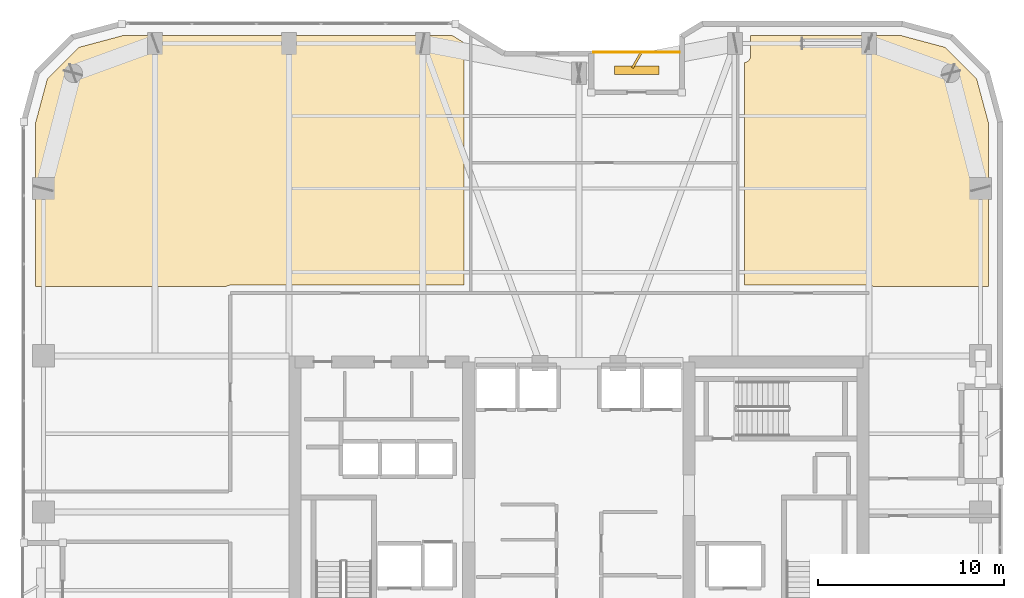
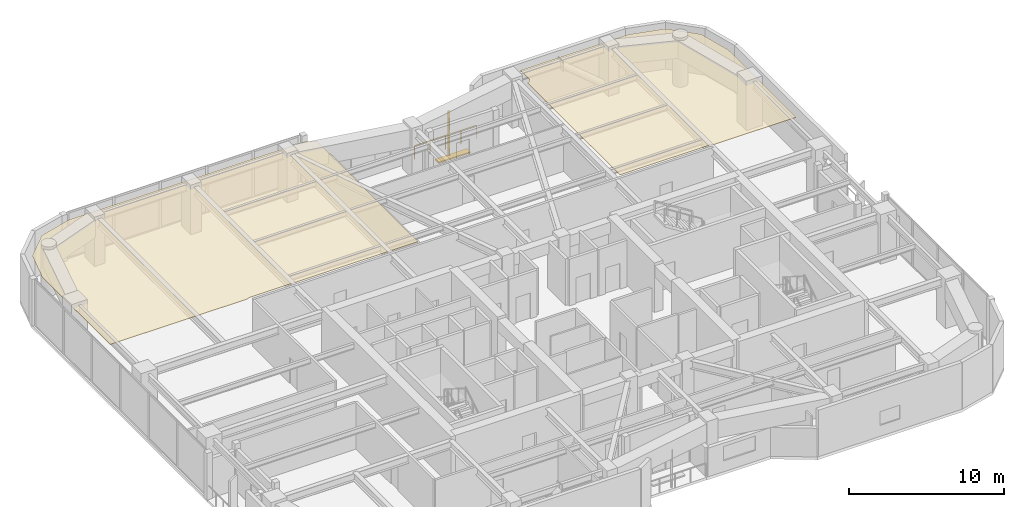
# One storey, part 30 of 30: 2 coverings, 2 shading devices, 1 railing.
"""IFC4 building model written with IfcOpenShell, lengths in metres."""

from ifc_helpers import new_model, si_unit, direction, frame, origin, origin_2d, place, context, subcontext, project, spatial, polyline, rectangle, outline, extrude, material, layer, layer_set, type_object, element, save


model = new_model("IFC4")

# Units and contexts
model_context = context("Model", 3, precision=1e-05, world=origin(), true_north=direction((0.0, 1.0)))
body_context = subcontext(model_context, "Body", "Model", "MODEL_VIEW")
ifc_project = project(units=[si_unit("LENGTHUNIT", "METRE"), si_unit("AREAUNIT", "SQUARE_METRE"), si_unit("VOLUMEUNIT", "CUBIC_METRE"), si_unit("PLANEANGLEUNIT", "RADIAN"), si_unit("MASSUNIT", "GRAM", prefix="KILO")], contexts=[model_context])

# Site, building, storey
site_placement = place(None, origin())
site = spatial("IfcSite", under=ifc_project, at=site_placement, CompositionType="ELEMENT")
building_placement = place(site_placement, origin())
building = spatial("IfcBuilding", under=site, at=building_placement, Name="Kiyonajd Concourse Tower", CompositionType="ELEMENT")
storey_placement = place(building_placement, frame((0.0, 0.0, 194.10009765625)))
storey = spatial("IfcBuildingStorey", under=building, at=storey_placement, Name="L49", CompositionType="ELEMENT", Elevation=194.10009765625)

# Coverings
ifc_material_1 = material(Name="Natural Oak Acoustic Timber Veneer", Category="wood")
ifc_layer = layer(ifc_material_1, 0.0400390625)
ifc_layer_set = layer_set([ifc_layer], Name="Natural Oak Acoustic Timber Veneer")
covering_type = type_object("IfcCoveringType", Name="CV-CLG-ACST", PredefinedType="CEILING", material=ifc_layer_set)
covering_1_placement = place(storey_placement, frame((0.0, 0.0, 3.5)))
element("IfcCovering", 1, at=covering_1_placement, inside=storey, type_object=covering_type, Name="L49-45 Room Acoustic Ceiling", PredefinedType="CEILING", context=body_context, shape_type="SweptSolid", body=[
    extrude(outline(polyline([(21.097900390625, 60.986083984375), (23.5009765625, 61.6298828125), (41.181884765625, 61.6298828125), (41.830078125, 61.23095703125), (41.830078125, 48.199951171875), (29.25, 48.199951171875), (29.1201171875, 48.179931640625), (29.056884765625, 48.154052734375), (29.001953125, 48.1201171875), (18.77001953125, 48.1201171875), (18.77001953125, 56.89892578125), (19.4140625, 59.302001953125), (21.097900390625, 60.986083984375)])), origin(), (0.0, 0.0, 1.0), 0.039794921875),
])
covering_2_placement = place(storey_placement, frame((0.0, 0.0, 3.5)))
element("IfcCovering", 2, at=covering_2_placement, inside=storey, type_object=covering_type, Name="L49-48 Room Acoustic Ceiling", PredefinedType="CEILING", context=body_context, shape_type="SweptSolid", body=[
    extrude(outline(polyline([(57.22998046875, 61.6298828125), (65.299072265625, 61.6298828125), (67.701904296875, 60.986083984375), (69.385986328125, 59.302001953125), (70.030029296875, 56.89892578125), (70.030029296875, 48.1201171875), (63.847900390625, 48.1201171875), (63.79296875, 48.154052734375), (63.72998046875, 48.179931640625), (63.60009765625, 48.199951171875), (56.909912109375, 48.199951171875), (56.909912109375, 60.1708984375), (57.013916015625, 60.197021484375), (57.10205078125, 60.2490234375), (57.15087890625, 60.298095703125), (57.18896484375, 60.35498046875), (57.222900390625, 60.451904296875), (57.22998046875, 60.52001953125), (57.22998046875, 61.6298828125)])), origin(), (0.0, 0.0, 1.0), 0.039794921875),
])

# Railing
ifc_material_2 = material(Name="Thermally Broken Anodised Aluminium", Category="aluminium")
railing_type = type_object("IfcRailingType", Name="RL-GRD-LOG", PredefinedType="GUARDRAIL", material=ifc_material_2)
railing_placement = place(storey_placement, frame((53.39990234375, 60.719970703125, 0.0)))
element("IfcRailing", 3, at=railing_placement, inside=storey, type_object=railing_type, Name="L49 Engawa Loggia Perimeter Guard LOG-N", PredefinedType="GUARDRAIL", context=body_context, shape_type="SweptSolid", body=[
    extrude(rectangle(XDim=0.048095703125, YDim=0.048095703125, at=origin_2d()), frame((0.0, 0.0, 1.076171875), z_axis=(-1.0, 0.0, 0.0), x_axis=(0.0, -1.0, 0.0)), (0.0, 0.0, 1.0), 4.599853515625),
    extrude(rectangle(XDim=0.0419921875, YDim=0.0419921875, at=origin_2d()), origin(), (0.0, 0.0, 1.0), 1.052001953125),
    extrude(rectangle(XDim=0.0419921875, YDim=0.0419921875, at=origin_2d()), frame((-1.14990234375, 0.0, 0.0)), (0.0, 0.0, 1.0), 1.052001953125),
    extrude(rectangle(XDim=0.0419921875, YDim=0.0419921875, at=origin_2d()), frame((-2.2998046875, 0.0, 0.0)), (0.0, 0.0, 1.0), 1.052001953125),
    extrude(rectangle(XDim=0.0419921875, YDim=0.0419921875, at=origin_2d()), frame((-3.449951171875, 0.0, 0.0)), (0.0, 0.0, 1.0), 1.052001953125),
    extrude(rectangle(XDim=0.0419921875, YDim=0.0419921875, at=origin_2d()), frame((-4.599853515625, 0.0, 0.0)), (0.0, 0.0, 1.0), 1.052001953125),
])

# Shading devices
ifc_material_3 = material(Name="Precast concrete C50/60", Category="concrete")
shading_device_type_1 = type_object("IfcShadingDeviceType", Name="SH-FIN-900", PredefinedType="USERDEFINED", material=ifc_material_3)
shading_device_1_placement = place(storey_placement, frame((51.10009765625, 60.27001953125, 0.0), z_axis=(0.0, 0.0, 1.0), x_axis=(0.5, 0.866025403784, 0.0)))
element("IfcShadingDevice", 4, at=shading_device_1_placement, inside=storey, type_object=shading_device_type_1, Name="L49 Angled Koshi Solar Fin LOG-N", ObjectType="FIN", PredefinedType="USERDEFINED", context=body_context, shape_type="SweptSolid", body=[
    extrude(rectangle(XDim=0.89990234375, YDim=0.1201171875, at=origin_2d()), origin(), (0.0, 0.0, 1.0), 3.0),
])
shading_device_type_2 = type_object("IfcShadingDeviceType", Name="SH-LVR-600", PredefinedType="JALOUSIE", material=ifc_material_2)
shading_device_2_placement = place(storey_placement, frame((51.10009765625, 59.75, -0.000244140625), z_axis=(0.0, 0.0, 1.0), x_axis=(1.0, 0.0, 0.0)))
element("IfcShadingDevice", 5, at=shading_device_2_placement, inside=storey, type_object=shading_device_type_2, Name="L49 Loggia Threshold Louver LOG-N", PredefinedType="JALOUSIE", context=body_context, shape_type="SweptSolid", body=[
    extrude(rectangle(XDim=2.39990234375, YDim=0.449951171875, at=origin_2d()), origin(), (0.0, 0.0, 1.0), 0.10009765625),
])

save(model, "model.ifc")
